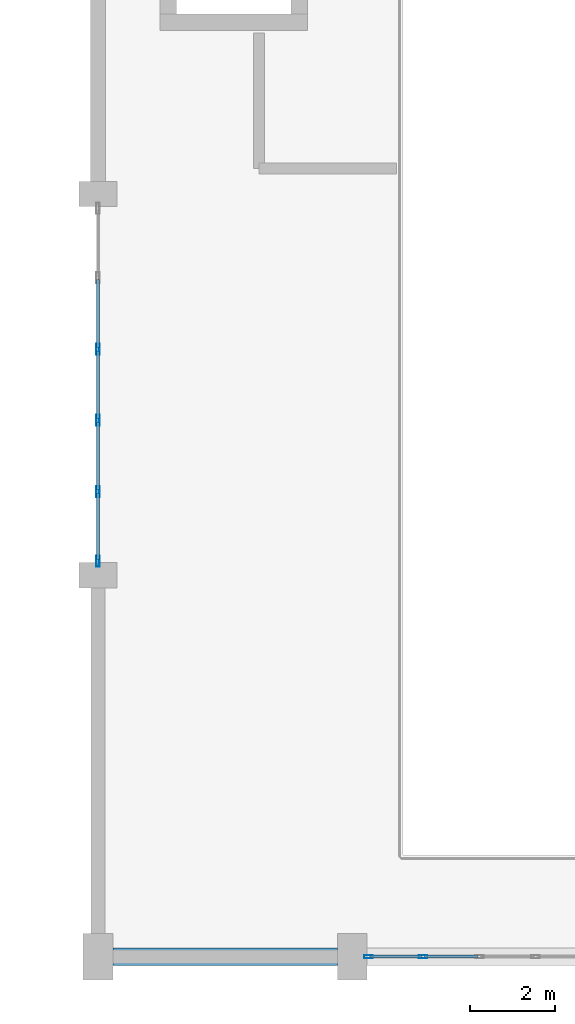
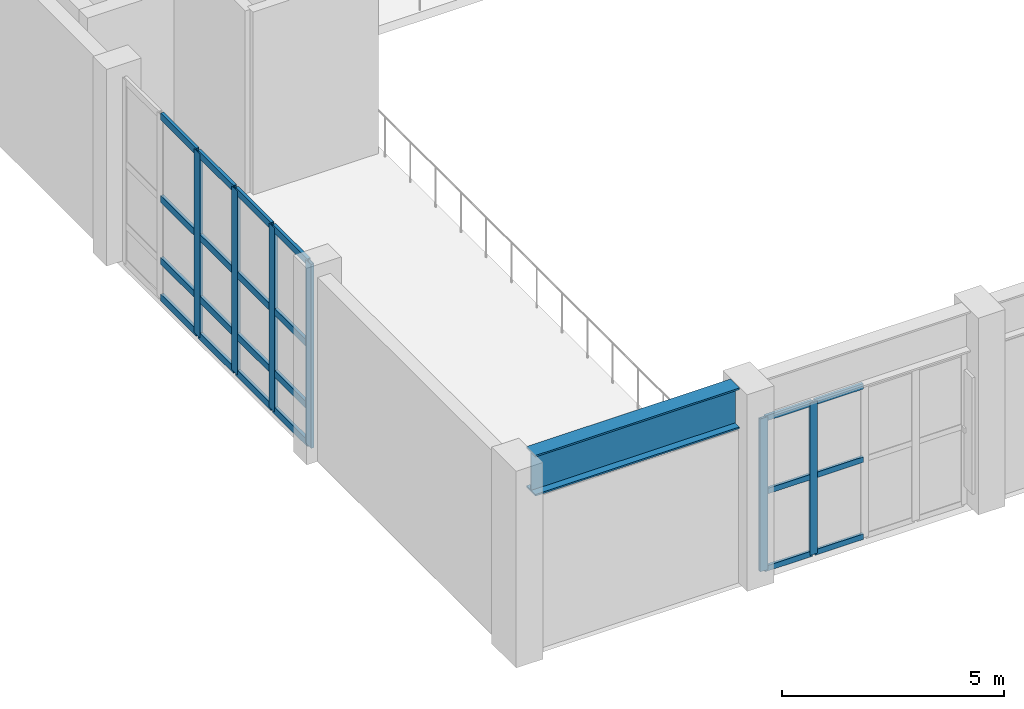
# One storey, part 4 of 41: 28 members, 1 beam, 2 elements without a shape of their own.
"""IFC4 building model written with IfcOpenShell, lengths in metres."""

from ifc_helpers import new_model, si_unit, direction, frame, origin, origin_2d, place, context, subcontext, project, spatial, hollow_rectangle, i_section, extrude, material, layer, layer_set, material_profile, profile_set, type_object, element, aggregate, save


model = new_model("IFC4")

# Units and contexts
model_context = context("Model", 3, precision=1e-05, world=origin(), true_north=direction((0.0, 1.0)))
body_context = subcontext(model_context, "Body", "Model", "MODEL_VIEW")
ifc_project = project(units=[si_unit("LENGTHUNIT", "METRE"), si_unit("AREAUNIT", "SQUARE_METRE"), si_unit("VOLUMEUNIT", "CUBIC_METRE"), si_unit("PLANEANGLEUNIT", "RADIAN"), si_unit("MASSUNIT", "GRAM", prefix="KILO")], contexts=[model_context])

# Site, building, storey
site_placement = place(None, origin())
site = spatial("IfcSite", under=ifc_project, at=site_placement, CompositionType="ELEMENT")
building_placement = place(site_placement, origin())
building = spatial("IfcBuilding", under=site, at=building_placement, Name="Vaelkrest Opera House", CompositionType="ELEMENT")
storey_placement = place(building_placement, frame((0.0, 0.0, 24.60009765625)))
storey = spatial("IfcBuildingStorey", under=building, at=storey_placement, Name="L05", CompositionType="ELEMENT", Elevation=24.60009765625)

# Curtain wall, members
ifc_material_1 = material(Name="Dark bronze anodized aluminium", Category="aluminium")
ifc_layer_1 = layer(ifc_material_1, 0.18994140625)
ifc_layer_set_1 = layer_set([ifc_layer_1], Name="Dark bronze anodized aluminium")
curtain_wall_type_1 = type_object("IfcCurtainWallType", Name="CW02", PredefinedType="NOTDEFINED", material=ifc_layer_set_1)
curtain_wall_1_placement = place(storey_placement, origin())
curtain_wall_1 = element("IfcCurtainWall", 1, at=curtain_wall_1_placement, inside=storey, type_object=curtain_wall_type_1, Name="Curtain wall CW-L05-072", PredefinedType="NOTDEFINED")
ifc_material_profile_1 = material_profile(ifc_material_1, hollow_rectangle(XDim=0.070068359375, YDim=0.199951171875, WallThickness=0.004150390625, at=origin_2d()), Name="CWM70X200")
ifc_profile_set_1 = profile_set([ifc_material_profile_1], Name="Dark bronze anodized aluminium")
member_type_1 = type_object("IfcMemberType", Name="CWM02", PredefinedType="MULLION", material=ifc_profile_set_1)
member_1_placement = place(storey_placement, frame((-22.325927734375, -55.800048828125, 0.0), z_axis=(0.0, 0.0, 1.0), x_axis=(0.0, -1.0, 0.0)))
member_1 = element("IfcMember", 2, at=member_1_placement, type_object=member_type_1, Name="CW02 mullion 4", PredefinedType="MULLION", context=body_context, shape_type="SweptSolid", body=[
    extrude(hollow_rectangle(XDim=0.070068359375, YDim=0.199951171875, WallThickness=0.004150390625, at=origin_2d()), origin(), (0.0, 0.0, 1.0), 4.197021484375),
])
member_2_placement = place(storey_placement, frame((-23.616943359375, -55.800048828125, 0.0), z_axis=(0.0, 0.0, 1.0), x_axis=(0.0, -1.0, 0.0)))
member_2 = element("IfcMember", 3, at=member_2_placement, type_object=member_type_1, Name="CW02 mullion 5", PredefinedType="MULLION", context=body_context, shape_type="SweptSolid", body=[
    extrude(hollow_rectangle(XDim=0.070068359375, YDim=0.199951171875, WallThickness=0.004150390625, at=origin_2d()), origin(), (0.0, 0.0, 1.0), 4.197021484375),
])

ifc_layer_2 = layer(ifc_material_1, 0.2099609375)
ifc_layer_set_2 = layer_set([ifc_layer_2], Name="Dark bronze anodized aluminium")
curtain_wall_type_2 = type_object("IfcCurtainWallType", Name="CW04", PredefinedType="NOTDEFINED", material=ifc_layer_set_2)
curtain_wall_2_placement = place(storey_placement, origin())
curtain_wall_2 = element("IfcCurtainWall", 4, at=curtain_wall_2_placement, inside=storey, type_object=curtain_wall_type_2, Name="Curtain wall CW-L05-073", PredefinedType="NOTDEFINED")
ifc_material_profile_2 = material_profile(ifc_material_1, hollow_rectangle(XDim=0.080078125, YDim=0.260009765625, WallThickness=0.0048828125, at=origin_2d()), Name="CWM80X260")
ifc_profile_set_2 = profile_set([ifc_material_profile_2], Name="Dark bronze anodized aluminium")
member_type_2 = type_object("IfcMemberType", Name="CWM04", PredefinedType="MULLION", material=ifc_profile_set_2)
member_3_placement = place(storey_placement, frame((-30.0, -46.4619140625, 0.0), z_axis=(0.0, 0.0, 1.0), x_axis=(-1.0, 0.0, 0.0)))
member_3 = element("IfcMember", 5, at=member_3_placement, type_object=member_type_2, Name="CW04 mullion 1", PredefinedType="MULLION", context=body_context, shape_type="SweptSolid", body=[
    extrude(hollow_rectangle(XDim=0.080078125, YDim=0.260009765625, WallThickness=0.0048828125, at=origin_2d()), origin(), (0.0, 0.0, 1.0), 5.0498046875),
])
member_4_placement = place(storey_placement, frame((-30.0, -44.8212890625, 0.0), z_axis=(0.0, 0.0, 1.0), x_axis=(-1.0, 0.0, 0.0)))
member_4 = element("IfcMember", 6, at=member_4_placement, type_object=member_type_2, Name="CW04 mullion 2", PredefinedType="MULLION", context=body_context, shape_type="SweptSolid", body=[
    extrude(hollow_rectangle(XDim=0.080078125, YDim=0.260009765625, WallThickness=0.0048828125, at=origin_2d()), origin(), (0.0, 0.0, 1.0), 5.0498046875),
])
member_5_placement = place(storey_placement, frame((-30.0, -43.140380859375, 0.0), z_axis=(0.0, 0.0, 1.0), x_axis=(-1.0, 0.0, 0.0)))
member_5 = element("IfcMember", 7, at=member_5_placement, type_object=member_type_2, Name="CW04 mullion 3", PredefinedType="MULLION", context=body_context, shape_type="SweptSolid", body=[
    extrude(hollow_rectangle(XDim=0.080078125, YDim=0.260009765625, WallThickness=0.0048828125, at=origin_2d()), origin(), (0.0, 0.0, 1.0), 5.0498046875),
])
member_6_placement = place(storey_placement, frame((-30.0, -41.459716796875, 0.0), z_axis=(0.0, 0.0, 1.0), x_axis=(-1.0, 0.0, 0.0)))
member_6 = element("IfcMember", 8, at=member_6_placement, type_object=member_type_2, Name="CW04 mullion 4", PredefinedType="MULLION", context=body_context, shape_type="SweptSolid", body=[
    extrude(hollow_rectangle(XDim=0.080078125, YDim=0.260009765625, WallThickness=0.0048828125, at=origin_2d()), origin(), (0.0, 0.0, 1.0), 5.0498046875),
])

# Member
ifc_material_profile_3 = material_profile(ifc_material_1, hollow_rectangle(XDim=0.070068359375, YDim=0.14990234375, WallThickness=0.004150390625, at=origin_2d()), Name="CWT70X150")
ifc_profile_set_3 = profile_set([ifc_material_profile_3], Name="Dark bronze anodized aluminium")
member_type_3 = type_object("IfcMemberType", Name="CWT02", PredefinedType="USERDEFINED", material=ifc_profile_set_3)
member_7_placement = place(storey_placement, frame((-21.034912109375, -55.800048828125, 0.034912109375), z_axis=(-1.0, 0.0, 0.0), x_axis=(0.0, -1.0, 0.0)))
member_7 = element("IfcMember", 9, at=member_7_placement, type_object=member_type_3, Name="CW02 transom 3.1", ObjectType="TRANSOM", PredefinedType="USERDEFINED", context=body_context, shape_type="SweptSolid", body=[
    extrude(hollow_rectangle(XDim=0.070068359375, YDim=0.14990234375, WallThickness=0.004150390625, at=origin_2d()), origin(), (0.0, 0.0, 1.0), 1.256103515625),
])

member_8_placement = place(storey_placement, frame((-21.034912109375, -55.800048828125, 2.14990234375), z_axis=(-1.0, 0.0, 0.0), x_axis=(0.0, -1.0, 0.0)))
member_8 = element("IfcMember", 10, at=member_8_placement, type_object=member_type_3, Name="CW02 transom 3.2", ObjectType="TRANSOM", PredefinedType="USERDEFINED", context=body_context, shape_type="SweptSolid", body=[
    extrude(hollow_rectangle(XDim=0.070068359375, YDim=0.14990234375, WallThickness=0.004150390625, at=origin_2d()), origin(), (0.0, 0.0, 1.0), 1.256103515625),
])

member_9_placement = place(storey_placement, frame((-21.034912109375, -55.800048828125, 4.161865234375), z_axis=(-1.0, 0.0, 0.0), x_axis=(0.0, -1.0, 0.0)))
member_9 = element("IfcMember", 11, at=member_9_placement, type_object=member_type_3, Name="CW02 transom 3.3", ObjectType="TRANSOM", PredefinedType="USERDEFINED", context=body_context, shape_type="SweptSolid", body=[
    extrude(hollow_rectangle(XDim=0.070068359375, YDim=0.14990234375, WallThickness=0.004150390625, at=origin_2d()), origin(), (0.0, 0.0, 1.0), 1.256103515625),
])

member_10_placement = place(storey_placement, frame((-22.361083984375, -55.800048828125, 0.034912109375), z_axis=(-1.0, 0.0, 0.0), x_axis=(0.0, -1.0, 0.0)))
member_10 = element("IfcMember", 12, at=member_10_placement, type_object=member_type_3, Name="CW02 transom 4.1", ObjectType="TRANSOM", PredefinedType="USERDEFINED", context=body_context, shape_type="SweptSolid", body=[
    extrude(hollow_rectangle(XDim=0.070068359375, YDim=0.14990234375, WallThickness=0.004150390625, at=origin_2d()), origin(), (0.0, 0.0, 1.0), 1.220947265625),
])

member_11_placement = place(storey_placement, frame((-22.361083984375, -55.800048828125, 2.14990234375), z_axis=(-1.0, 0.0, 0.0), x_axis=(0.0, -1.0, 0.0)))
member_11 = element("IfcMember", 13, at=member_11_placement, type_object=member_type_3, Name="CW02 transom 4.2", ObjectType="TRANSOM", PredefinedType="USERDEFINED", context=body_context, shape_type="SweptSolid", body=[
    extrude(hollow_rectangle(XDim=0.070068359375, YDim=0.14990234375, WallThickness=0.004150390625, at=origin_2d()), origin(), (0.0, 0.0, 1.0), 1.220947265625),
])

member_12_placement = place(storey_placement, frame((-22.361083984375, -55.800048828125, 4.161865234375), z_axis=(-1.0, 0.0, 0.0), x_axis=(0.0, -1.0, 0.0)))
member_12 = element("IfcMember", 14, at=member_12_placement, type_object=member_type_3, Name="CW02 transom 4.3", ObjectType="TRANSOM", PredefinedType="USERDEFINED", context=body_context, shape_type="SweptSolid", body=[
    extrude(hollow_rectangle(XDim=0.070068359375, YDim=0.14990234375, WallThickness=0.004150390625, at=origin_2d()), origin(), (0.0, 0.0, 1.0), 1.220947265625),
])

aggregate(curtain_wall_1, [member_1, member_2, member_7, member_8, member_9, member_10, member_11, member_12])

ifc_material_profile_4 = material_profile(ifc_material_1, hollow_rectangle(XDim=0.080078125, YDim=0.18994140625, WallThickness=0.0048828125, at=origin_2d()), Name="CWT80X190")
ifc_profile_set_4 = profile_set([ifc_material_profile_4], Name="Dark bronze anodized aluminium")
member_type_4 = type_object("IfcMemberType", Name="CWT04", PredefinedType="USERDEFINED", material=ifc_profile_set_4)
member_13_placement = place(storey_placement, frame((-30.0, -46.422119140625, 0.039794921875), z_axis=(0.0, 1.0, 0.0), x_axis=(-1.0, 0.0, 0.0)))
member_13 = element("IfcMember", 15, at=member_13_placement, type_object=member_type_4, Name="CW04 transom 1.1", ObjectType="TRANSOM", PredefinedType="USERDEFINED", context=body_context, shape_type="SweptSolid", body=[
    extrude(hollow_rectangle(XDim=0.080078125, YDim=0.18994140625, WallThickness=0.0048828125, at=origin_2d()), origin(), (0.0, 0.0, 1.0), 1.56103515625),
])

member_14_placement = place(storey_placement, frame((-30.0, -46.422119140625, 1.0498046875), z_axis=(0.0, 1.0, 0.0), x_axis=(-1.0, 0.0, 0.0)))
member_14 = element("IfcMember", 16, at=member_14_placement, type_object=member_type_4, Name="CW04 transom 1.2", ObjectType="TRANSOM", PredefinedType="USERDEFINED", context=body_context, shape_type="SweptSolid", body=[
    extrude(hollow_rectangle(XDim=0.080078125, YDim=0.18994140625, WallThickness=0.0048828125, at=origin_2d()), origin(), (0.0, 0.0, 1.0), 1.56103515625),
])

member_15_placement = place(storey_placement, frame((-30.0, -46.422119140625, 2.75), z_axis=(0.0, 1.0, 0.0), x_axis=(-1.0, 0.0, 0.0)))
member_15 = element("IfcMember", 17, at=member_15_placement, type_object=member_type_4, Name="CW04 transom 1.3", ObjectType="TRANSOM", PredefinedType="USERDEFINED", context=body_context, shape_type="SweptSolid", body=[
    extrude(hollow_rectangle(XDim=0.080078125, YDim=0.18994140625, WallThickness=0.0048828125, at=origin_2d()), origin(), (0.0, 0.0, 1.0), 1.56103515625),
])

member_16_placement = place(storey_placement, frame((-30.0, -46.422119140625, 5.010009765625), z_axis=(0.0, 1.0, 0.0), x_axis=(-1.0, 0.0, 0.0)))
member_16 = element("IfcMember", 18, at=member_16_placement, type_object=member_type_4, Name="CW04 transom 1.4", ObjectType="TRANSOM", PredefinedType="USERDEFINED", context=body_context, shape_type="SweptSolid", body=[
    extrude(hollow_rectangle(XDim=0.080078125, YDim=0.18994140625, WallThickness=0.0048828125, at=origin_2d()), origin(), (0.0, 0.0, 1.0), 1.56103515625),
])

member_17_placement = place(storey_placement, frame((-30.0, -44.78125, 0.039794921875), z_axis=(0.0, 1.0, 0.0), x_axis=(-1.0, 0.0, 0.0)))
member_17 = element("IfcMember", 19, at=member_17_placement, type_object=member_type_4, Name="CW04 transom 2.1", ObjectType="TRANSOM", PredefinedType="USERDEFINED", context=body_context, shape_type="SweptSolid", body=[
    extrude(hollow_rectangle(XDim=0.080078125, YDim=0.18994140625, WallThickness=0.0048828125, at=origin_2d()), origin(), (0.0, 0.0, 1.0), 1.600830078125),
])

member_18_placement = place(storey_placement, frame((-30.0, -44.78125, 1.0498046875), z_axis=(0.0, 1.0, 0.0), x_axis=(-1.0, 0.0, 0.0)))
member_18 = element("IfcMember", 20, at=member_18_placement, type_object=member_type_4, Name="CW04 transom 2.2", ObjectType="TRANSOM", PredefinedType="USERDEFINED", context=body_context, shape_type="SweptSolid", body=[
    extrude(hollow_rectangle(XDim=0.080078125, YDim=0.18994140625, WallThickness=0.0048828125, at=origin_2d()), origin(), (0.0, 0.0, 1.0), 1.600830078125),
])

member_19_placement = place(storey_placement, frame((-30.0, -44.78125, 2.75), z_axis=(0.0, 1.0, 0.0), x_axis=(-1.0, 0.0, 0.0)))
member_19 = element("IfcMember", 21, at=member_19_placement, type_object=member_type_4, Name="CW04 transom 2.3", ObjectType="TRANSOM", PredefinedType="USERDEFINED", context=body_context, shape_type="SweptSolid", body=[
    extrude(hollow_rectangle(XDim=0.080078125, YDim=0.18994140625, WallThickness=0.0048828125, at=origin_2d()), origin(), (0.0, 0.0, 1.0), 1.600830078125),
])

member_20_placement = place(storey_placement, frame((-30.0, -44.78125, 5.010009765625), z_axis=(0.0, 1.0, 0.0), x_axis=(-1.0, 0.0, 0.0)))
member_20 = element("IfcMember", 22, at=member_20_placement, type_object=member_type_4, Name="CW04 transom 2.4", ObjectType="TRANSOM", PredefinedType="USERDEFINED", context=body_context, shape_type="SweptSolid", body=[
    extrude(hollow_rectangle(XDim=0.080078125, YDim=0.18994140625, WallThickness=0.0048828125, at=origin_2d()), origin(), (0.0, 0.0, 1.0), 1.600830078125),
])

member_21_placement = place(storey_placement, frame((-30.0, -43.100341796875, 0.039794921875), z_axis=(0.0, 1.0, 0.0), x_axis=(-1.0, 0.0, 0.0)))
member_21 = element("IfcMember", 23, at=member_21_placement, type_object=member_type_4, Name="CW04 transom 3.1", ObjectType="TRANSOM", PredefinedType="USERDEFINED", context=body_context, shape_type="SweptSolid", body=[
    extrude(hollow_rectangle(XDim=0.080078125, YDim=0.18994140625, WallThickness=0.0048828125, at=origin_2d()), origin(), (0.0, 0.0, 1.0), 1.600830078125),
])

member_22_placement = place(storey_placement, frame((-30.0, -43.100341796875, 1.0498046875), z_axis=(0.0, 1.0, 0.0), x_axis=(-1.0, 0.0, 0.0)))
member_22 = element("IfcMember", 24, at=member_22_placement, type_object=member_type_4, Name="CW04 transom 3.2", ObjectType="TRANSOM", PredefinedType="USERDEFINED", context=body_context, shape_type="SweptSolid", body=[
    extrude(hollow_rectangle(XDim=0.080078125, YDim=0.18994140625, WallThickness=0.0048828125, at=origin_2d()), origin(), (0.0, 0.0, 1.0), 1.600830078125),
])

member_23_placement = place(storey_placement, frame((-30.0, -43.100341796875, 2.75), z_axis=(0.0, 1.0, 0.0), x_axis=(-1.0, 0.0, 0.0)))
member_23 = element("IfcMember", 25, at=member_23_placement, type_object=member_type_4, Name="CW04 transom 3.3", ObjectType="TRANSOM", PredefinedType="USERDEFINED", context=body_context, shape_type="SweptSolid", body=[
    extrude(hollow_rectangle(XDim=0.080078125, YDim=0.18994140625, WallThickness=0.0048828125, at=origin_2d()), origin(), (0.0, 0.0, 1.0), 1.600830078125),
])

member_24_placement = place(storey_placement, frame((-30.0, -43.100341796875, 5.010009765625), z_axis=(0.0, 1.0, 0.0), x_axis=(-1.0, 0.0, 0.0)))
member_24 = element("IfcMember", 26, at=member_24_placement, type_object=member_type_4, Name="CW04 transom 3.4", ObjectType="TRANSOM", PredefinedType="USERDEFINED", context=body_context, shape_type="SweptSolid", body=[
    extrude(hollow_rectangle(XDim=0.080078125, YDim=0.18994140625, WallThickness=0.0048828125, at=origin_2d()), origin(), (0.0, 0.0, 1.0), 1.600830078125),
])

member_25_placement = place(storey_placement, frame((-30.0, -41.419677734375, 0.039794921875), z_axis=(0.0, 1.0, 0.0), x_axis=(-1.0, 0.0, 0.0)))
member_25 = element("IfcMember", 27, at=member_25_placement, type_object=member_type_4, Name="CW04 transom 4.1", ObjectType="TRANSOM", PredefinedType="USERDEFINED", context=body_context, shape_type="SweptSolid", body=[
    extrude(hollow_rectangle(XDim=0.080078125, YDim=0.18994140625, WallThickness=0.0048828125, at=origin_2d()), origin(), (0.0, 0.0, 1.0), 1.600830078125),
])

member_26_placement = place(storey_placement, frame((-30.0, -41.419677734375, 1.0498046875), z_axis=(0.0, 1.0, 0.0), x_axis=(-1.0, 0.0, 0.0)))
member_26 = element("IfcMember", 28, at=member_26_placement, type_object=member_type_4, Name="CW04 transom 4.2", ObjectType="TRANSOM", PredefinedType="USERDEFINED", context=body_context, shape_type="SweptSolid", body=[
    extrude(hollow_rectangle(XDim=0.080078125, YDim=0.18994140625, WallThickness=0.0048828125, at=origin_2d()), origin(), (0.0, 0.0, 1.0), 1.600830078125),
])

member_27_placement = place(storey_placement, frame((-30.0, -41.419677734375, 2.75), z_axis=(0.0, 1.0, 0.0), x_axis=(-1.0, 0.0, 0.0)))
member_27 = element("IfcMember", 29, at=member_27_placement, type_object=member_type_4, Name="CW04 transom 4.3", ObjectType="TRANSOM", PredefinedType="USERDEFINED", context=body_context, shape_type="SweptSolid", body=[
    extrude(hollow_rectangle(XDim=0.080078125, YDim=0.18994140625, WallThickness=0.0048828125, at=origin_2d()), origin(), (0.0, 0.0, 1.0), 1.600830078125),
])

member_28_placement = place(storey_placement, frame((-30.0, -41.419677734375, 5.010009765625), z_axis=(0.0, 1.0, 0.0), x_axis=(-1.0, 0.0, 0.0)))
member_28 = element("IfcMember", 30, at=member_28_placement, type_object=member_type_4, Name="CW04 transom 4.4", ObjectType="TRANSOM", PredefinedType="USERDEFINED", context=body_context, shape_type="SweptSolid", body=[
    extrude(hollow_rectangle(XDim=0.080078125, YDim=0.18994140625, WallThickness=0.0048828125, at=origin_2d()), origin(), (0.0, 0.0, 1.0), 1.600830078125),
])

aggregate(curtain_wall_2, [member_3, member_4, member_5, member_6, member_13, member_14, member_15, member_16, member_17, member_18, member_19, member_20, member_21, member_22, member_23, member_24, member_25, member_26, member_27, member_28])

# Beam
ifc_material_2 = material(Name="Steel A992 Gr50", Category="steel")
ifc_material_profile_5 = material_profile(ifc_material_2, i_section(OverallWidth=0.405029296875, OverallDepth=1.117919921875, WebThickness=0.02587890625, FlangeThickness=0.044921875, at=origin_2d()), Name="W44X335")
ifc_profile_set_5 = profile_set([ifc_material_profile_5], Name="Steel A992 Gr50")
beam_type = type_object("IfcBeamType", Name="SP05", PredefinedType="SPANDREL", material=ifc_profile_set_5)
beam_placement = place(storey_placement, frame((-29.64990234375, -55.800048828125, 4.82080078125), z_axis=(1.0, 0.0, 0.0), x_axis=(0.0, 1.0, 0.0)))
element("IfcBeam", 31, at=beam_placement, inside=storey, type_object=beam_type, Name="Beam BM-V1-L05-0627", PredefinedType="SPANDREL", context=body_context, shape_type="SweptSolid", body=[
    extrude(i_section(OverallWidth=0.405029296875, OverallDepth=1.117919921875, WebThickness=0.02587890625, FlangeThickness=0.044921875, at=origin_2d()), origin(), (0.0, 0.0, 1.0), 5.2998046875),
])

save(model, "model.ifc")
